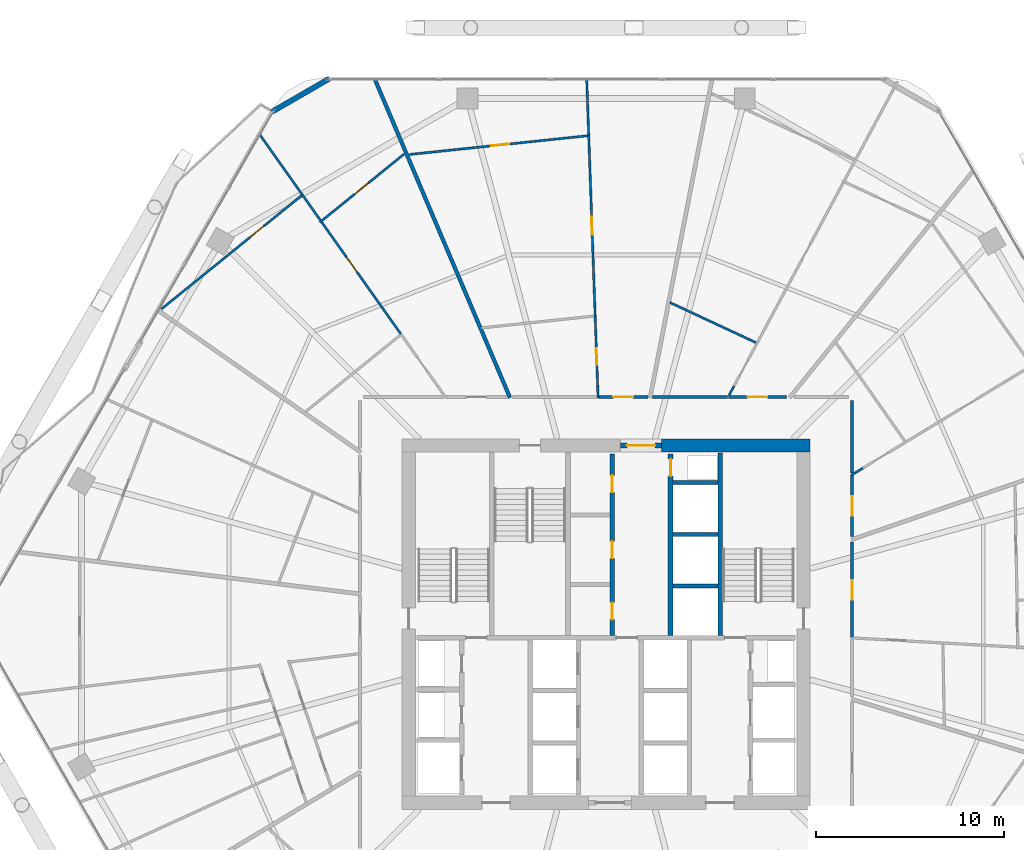
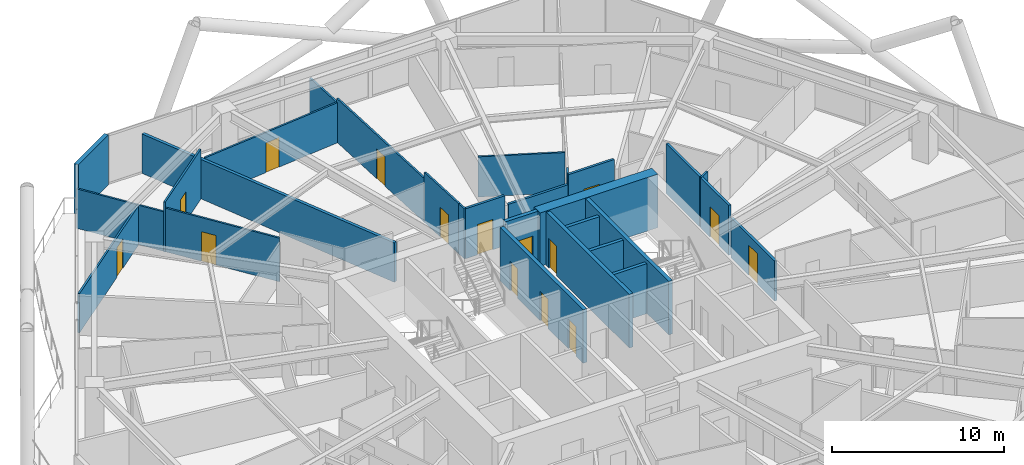
# One storey, part 33 of 36: 29 walls, 15 doors, 15 openings.
"""IFC4 building model written with IfcOpenShell, lengths in metres."""

from ifc_helpers import new_model, si_unit, direction, frame, frame_2d, origin, place, context, subcontext, project, spatial, rectangle, extrude, material, layer, layer_set, type_object, element, fill, save


model = new_model("IFC4")

# Units and contexts
model_context = context("Model", 3, precision=1e-05, world=origin(), true_north=direction((0.0, 1.0)))
body_context = subcontext(model_context, "Body", "Model", "MODEL_VIEW")
ifc_project = project(units=[si_unit("LENGTHUNIT", "METRE"), si_unit("AREAUNIT", "SQUARE_METRE"), si_unit("VOLUMEUNIT", "CUBIC_METRE"), si_unit("PLANEANGLEUNIT", "RADIAN"), si_unit("MASSUNIT", "GRAM", prefix="KILO")], contexts=[model_context])

# Site, building, storey
site_placement = place(None, origin())
site = spatial("IfcSite", under=ifc_project, at=site_placement, CompositionType="ELEMENT")
building_placement = place(site_placement, origin())
building = spatial("IfcBuilding", under=site, at=building_placement, Name="Zuhravey Tower", CompositionType="ELEMENT")
storey_placement = place(building_placement, frame((0.0, 0.0, 107.60009765625)))
storey = spatial("IfcBuildingStorey", under=building, at=storey_placement, Name="L26", CompositionType="ELEMENT", Elevation=107.60009765625)

# Wall
ifc_material_1 = material(Name="Concrete C60/75", Category="concrete")
ifc_layer_1 = layer(ifc_material_1, 0.699951171875)
ifc_layer_set_1 = layer_set([ifc_layer_1], Name="Concrete C60/75")
wall_type_1 = type_object("IfcWallType", Name="Core Shear Wall 700", PredefinedType="SHEAR", material=ifc_layer_set_1)
wall_1_placement = place(storey_placement, frame((46.85009765625, 41.5, 0.0), z_axis=(0.0, 0.0, 1.0), x_axis=(-1.0, 0.0, 0.0)))
element("IfcWall", 1, at=wall_1_placement, inside=storey, type_object=wall_type_1, Name="L26 North-East Core Shear Wall CW70", PredefinedType="SHEAR", context=body_context, shape_type="SweptSolid", body=[
    extrude(rectangle(XDim=7.900146484375, YDim=0.699951171875, at=frame_2d((3.9501953125, 0.0))), origin(), (0.0, 0.0, 1.0), 3.7998046875),
])

# Wall, opening, door
ifc_material_2 = material(Name="Gypsum fire-rated stud partition")
ifc_layer_2 = layer(ifc_material_2, 0.159912109375)
ifc_layer_set_2 = layer_set([ifc_layer_2], Name="Gypsum fire-rated stud partition")
wall_type_2 = type_object("IfcWallType", Name="Corridor Fire Partition 160", PredefinedType="PARTITIONING", material=ifc_layer_set_2)
wall_2_placement = place(storey_placement, frame((49.080078125, 36.653076171875, 0.0), z_axis=(0.0, 0.0, 1.0), x_axis=(0.0, 1.0, 0.0)))
wall_2 = element("IfcWall", 2, at=wall_2_placement, inside=storey, type_object=wall_type_2, Name="L26 IW16 Partition 022", PredefinedType="PARTITIONING", context=body_context, shape_type="SweptSolid", body=[
    extrude(rectangle(XDim=3.27001953125, YDim=0.159912109375, at=frame_2d((1.635009765625, 0.0))), origin(), (0.0, 0.0, 1.0), 3.5498046875),
])
opening_1_placement = place(wall_2_placement, frame((1.110107421875, 0.0, 0.0)))
opening_1 = element("IfcOpeningElement", 3, at=opening_1_placement, cuts=wall_2, Name="Opening APD1", PredefinedType="OPENING", context=body_context, shape_type="SweptSolid", body=[
    extrude(rectangle(XDim=1.050048828125, YDim=2.14990234375, at=frame_2d((0.52490234375, 1.074951171875))), frame((0.0, 0.092041015625, 0.0), z_axis=(0.0, -1.0, 0.0), x_axis=(1.0, 0.0, 0.0)), (0.0, 0.0, 1.0), 0.183837890625),
])
ifc_material_3 = material(Name="Solid-core oak fire-rated leaf")
door_type_1 = type_object("IfcDoorType", Name="Apartment Entrance Fire Door 1050x2150", OperationType="NOTDEFINED", PredefinedType="DOOR", material=ifc_material_3)
door_1_placement = place(opening_1_placement, frame((1.050048828125, 0.0, 0.0), z_axis=(0.0, 0.0, 1.0), x_axis=(-1.0, 0.0, 0.0)))
door_1 = element("IfcDoor", 4, at=door_1_placement, inside=storey, type_object=door_type_1, Name="L26 Door 022.1", OperationType="SINGLE_SWING_RIGHT", OverallHeight=2.14990234375, OverallWidth=1.050048828125, PredefinedType="DOOR", context=body_context, shape_type="SweptSolid", body=[
    extrude(rectangle(XDim=1.050048828125, YDim=2.14990234375, at=frame_2d((0.52490234375, 1.074951171875))), frame((0.0, 0.02490234375, 0.0), z_axis=(0.0, -1.0, 0.0), x_axis=(1.0, 0.0, 0.0)), (0.0, 0.0, 1.0), 0.050048828125),
])
fill(opening_1, door_1)

wall_3_placement = place(storey_placement, frame((45.583251953125, 44.080078125, 0.0), z_axis=(0.0, 0.0, 1.0), x_axis=(-1.0, 0.0, 0.0)))
wall_3 = element("IfcWall", 5, at=wall_3_placement, inside=storey, type_object=wall_type_2, Name="L26 IW16 Partition 028", PredefinedType="PARTITIONING", context=body_context, shape_type="SweptSolid", body=[
    extrude(rectangle(XDim=3.072509765625, YDim=0.159912109375, at=frame_2d((1.5361328125, 0.0))), origin(), (0.0, 0.0, 1.0), 3.5498046875),
])
opening_2_placement = place(wall_3_placement, frame((1.01123046875, 0.0, 0.0)))
opening_2 = element("IfcOpeningElement", 6, at=opening_2_placement, cuts=wall_3, Name="Opening APD1", PredefinedType="OPENING", context=body_context, shape_type="SweptSolid", body=[
    extrude(rectangle(XDim=1.050048828125, YDim=2.14990234375, at=frame_2d((0.52490234375, 1.074951171875))), frame((0.0, 0.092041015625, 0.0), z_axis=(0.0, -1.0, 0.0), x_axis=(1.0, 0.0, 0.0)), (0.0, 0.0, 1.0), 0.183837890625),
])
door_2_placement = place(opening_2_placement, frame((1.050048828125, 0.0, 0.0), z_axis=(0.0, 0.0, 1.0), x_axis=(-1.0, 0.0, 0.0)))
door_2 = element("IfcDoor", 7, at=door_2_placement, inside=storey, type_object=door_type_1, Name="L26 Door 028.1", OperationType="SINGLE_SWING_LEFT", OverallHeight=2.14990234375, OverallWidth=1.050048828125, PredefinedType="DOOR", context=body_context, shape_type="SweptSolid", body=[
    extrude(rectangle(XDim=1.050048828125, YDim=2.14990234375, at=frame_2d((0.52490234375, 1.074951171875))), frame((0.0, 0.02490234375, 0.0), z_axis=(0.0, -1.0, 0.0), x_axis=(1.0, 0.0, 0.0)), (0.0, 0.0, 1.0), 0.050048828125),
])
fill(opening_2, door_2)

wall_4_placement = place(storey_placement, frame((38.218505859375, 44.080078125, 0.0), z_axis=(0.0, 0.0, 1.0), x_axis=(-1.0, 0.0, 0.0)))
wall_4 = element("IfcWall", 8, at=wall_4_placement, inside=storey, type_object=wall_type_2, Name="L26 IW16 Partition 032", PredefinedType="PARTITIONING", context=body_context, shape_type="SweptSolid", body=[
    extrude(rectangle(XDim=2.62890625, YDim=0.159912109375, at=frame_2d((1.314453125, 0.0))), origin(), (0.0, 0.0, 1.0), 3.5498046875),
])
opening_3_placement = place(wall_4_placement, frame((0.78955078125, 0.0, 0.0)))
opening_3 = element("IfcOpeningElement", 9, at=opening_3_placement, cuts=wall_4, Name="Opening APD1", PredefinedType="OPENING", context=body_context, shape_type="SweptSolid", body=[
    extrude(rectangle(XDim=1.050048828125, YDim=2.14990234375, at=frame_2d((0.52490234375, 1.074951171875))), frame((0.0, 0.092041015625, 0.0), z_axis=(0.0, -1.0, 0.0), x_axis=(1.0, 0.0, 0.0)), (0.0, 0.0, 1.0), 0.183837890625),
])
door_3_placement = place(opening_3_placement, frame((1.050048828125, 0.0, 0.0), z_axis=(0.0, 0.0, 1.0), x_axis=(-1.0, 0.0, 0.0)))
door_3 = element("IfcDoor", 10, at=door_3_placement, inside=storey, type_object=door_type_1, Name="L26 Door 032.1", OperationType="SINGLE_SWING_LEFT", OverallHeight=2.14990234375, OverallWidth=1.050048828125, PredefinedType="DOOR", context=body_context, shape_type="SweptSolid", body=[
    extrude(rectangle(XDim=1.050048828125, YDim=2.14990234375, at=frame_2d((0.52490234375, 1.074951171875))), frame((0.0, 0.02490234375, 0.0), z_axis=(0.0, -1.0, 0.0), x_axis=(1.0, 0.0, 0.0)), (0.0, 0.0, 1.0), 0.050048828125),
])
fill(opening_3, door_3)

wall_5_placement = place(storey_placement, frame((49.080078125, 31.288818359375, 0.0), z_axis=(0.0, 0.0, 1.0), x_axis=(0.0, 1.0, 0.0)))
wall_5 = element("IfcWall", 11, at=wall_5_placement, inside=storey, type_object=wall_type_2, Name="L26 IW16 Partition 074", PredefinedType="PARTITIONING", context=body_context, shape_type="SweptSolid", body=[
    extrude(rectangle(XDim=5.066650390625, YDim=0.159912109375, at=frame_2d((2.533203125, 0.0))), origin(), (0.0, 0.0, 1.0), 2.849853515625),
])
opening_4_placement = place(wall_5_placement, frame((2.00830078125, 0.0, 0.0)))
opening_4 = element("IfcOpeningElement", 12, at=opening_4_placement, cuts=wall_5, Name="Opening APD1", PredefinedType="OPENING", context=body_context, shape_type="SweptSolid", body=[
    extrude(rectangle(XDim=1.050048828125, YDim=2.14990234375, at=frame_2d((0.52490234375, 1.074951171875))), frame((0.0, 0.092041015625, 0.0), z_axis=(0.0, -1.0, 0.0), x_axis=(1.0, 0.0, 0.0)), (0.0, 0.0, 1.0), 0.183837890625),
])
door_4_placement = place(opening_4_placement, frame((1.050048828125, 0.0, 0.0), z_axis=(0.0, 0.0, 1.0), x_axis=(-1.0, 0.0, 0.0)))
door_4 = element("IfcDoor", 13, at=door_4_placement, inside=storey, type_object=door_type_1, Name="L26 Door 074.1", OperationType="SINGLE_SWING_LEFT", OverallHeight=2.14990234375, OverallWidth=1.050048828125, PredefinedType="DOOR", context=body_context, shape_type="SweptSolid", body=[
    extrude(rectangle(XDim=1.050048828125, YDim=2.14990234375, at=frame_2d((0.52490234375, 1.074951171875))), frame((0.0, 0.02490234375, 0.0), z_axis=(0.0, -1.0, 0.0), x_axis=(1.0, 0.0, 0.0)), (0.0, 0.0, 1.0), 0.050048828125),
])
fill(opening_4, door_4)

# Walls
wall_6_placement = place(storey_placement, frame((49.080078125, 40.026123046875, 0.0), z_axis=(0.0, 0.0, 1.0), x_axis=(0.0, 1.0, 0.0)))
element("IfcWall", 14, at=wall_6_placement, inside=storey, type_object=wall_type_2, Name="L26 IW16 Partition 137", PredefinedType="PARTITIONING", context=body_context, shape_type="SweptSolid", body=[
    extrude(rectangle(XDim=3.873779296875, YDim=0.159912109375, at=frame_2d((1.93701171875, 0.0))), origin(), (0.0, 0.0, 1.0), 3.5498046875),
])
wall_7_placement = place(storey_placement, frame((42.46533203125, 44.080078125, 0.0), z_axis=(0.0, 0.0, 1.0), x_axis=(-1.0, 0.0, 0.0)))
element("IfcWall", 15, at=wall_7_placement, inside=storey, type_object=wall_type_2, Name="L26 IW16 Partition 139", PredefinedType="PARTITIONING", context=body_context, shape_type="SweptSolid", body=[
    extrude(rectangle(XDim=3.9873046875, YDim=0.159912109375, at=frame_2d((1.99365234375, 0.0))), origin(), (0.0, 0.0, 1.0), 2.849853515625),
])
ifc_material_4 = material(Name="Precast concrete C40/50", Category="concrete")
ifc_layer_3 = layer(ifc_material_4, 0.280029296875)
ifc_layer_set_3 = layer_set([ifc_layer_3], Name="Precast concrete C40/50")
wall_type_3 = type_object("IfcWallType", Name="Crown Architectural Wall 280", PredefinedType="SOLIDWALL", material=ifc_layer_set_3)
wall_8_placement = place(storey_placement, frame((18.23876953125, 59.24853515625, 0.0), z_axis=(0.0, 0.0, 1.0), x_axis=(0.866007452331, 0.500031091541, 0.0)))
element("IfcWall", 16, at=wall_8_placement, inside=storey, type_object=wall_type_3, Name="L26 Rounded Corner Closure Wall EW28-08", PredefinedType="SOLIDWALL", context=body_context, shape_type="SweptSolid", body=[
    extrude(rectangle(XDim=3.514892578125, YDim=0.280029296875, at=frame_2d((1.75732421875, 0.0))), origin(), (0.0, 0.0, 1.0), 3.5498046875),
])

# Wall, opening, door
ifc_material_5 = material(Name="Concrete C50/60", Category="concrete")
ifc_layer_4 = layer(ifc_material_5, 0.25)
ifc_layer_set_4 = layer_set([ifc_layer_4], Name="Concrete C50/60")
wall_type_4 = type_object("IfcWallType", Name="Firefighting Shaft & Stair Wall 250", PredefinedType="SOLIDWALL", material=ifc_layer_set_4)
wall_9_placement = place(storey_placement, frame((36.760009765625, 41.5, 0.0), z_axis=(0.0, 0.0, 1.0), x_axis=(1.0, 0.0, 0.0)))
wall_9 = element("IfcWall", 17, at=wall_9_placement, inside=storey, type_object=wall_type_4, Name="L26 FW25 Shaft Wall 002", PredefinedType="SOLIDWALL", context=body_context, shape_type="SweptSolid", body=[
    extrude(rectangle(XDim=2.179931640625, YDim=0.25, at=frame_2d((1.08984375, 0.0))), origin(), (0.0, 0.0, 1.0), 3.7998046875),
])
opening_5_placement = place(wall_9_placement, frame((0.340087890625, 0.0, 0.0)))
opening_5 = element("IfcOpeningElement", 18, at=opening_5_placement, cuts=wall_9, Name="Opening FFD1", PredefinedType="OPENING", context=body_context, shape_type="SweptSolid", body=[
    extrude(rectangle(XDim=1.5, YDim=2.14990234375, at=frame_2d((0.75, 1.074951171875))), frame((0.0, 0.136962890625, 0.0), z_axis=(0.0, -1.0, 0.0), x_axis=(1.0, 0.0, 0.0)), (0.0, 0.0, 1.0), 0.27392578125),
])
ifc_material_6 = material(Name="Galvanised fire-rated steel leaf", Category="steel")
door_type_2 = type_object("IfcDoorType", Name="Firefighting Lobby Double Door 1500x2150", OperationType="DOUBLE_DOOR_SINGLE_SWING", PredefinedType="DOOR", material=ifc_material_6)
door_5_placement = place(opening_5_placement, origin())
door_5 = element("IfcDoor", 19, at=door_5_placement, inside=storey, type_object=door_type_2, Name="L26 North Lift Lobby Exit Door", OperationType="DOUBLE_DOOR_SINGLE_SWING", OverallHeight=2.14990234375, OverallWidth=1.5, PredefinedType="DOOR", context=body_context, shape_type="SweptSolid", body=[
    extrude(rectangle(XDim=1.5, YDim=2.14990234375, at=frame_2d((0.75, 1.074951171875))), frame((0.0, 0.02490234375, 0.0), z_axis=(0.0, -1.0, 0.0), x_axis=(1.0, 0.0, 0.0)), (0.0, 0.0, 1.0), 0.050048828125),
])
fill(opening_5, door_5)

# Wall
wall_10_placement = place(storey_placement, frame((42.074951171875, 31.39990234375, 0.0), z_axis=(0.0, 0.0, 1.0), x_axis=(0.0, 1.0, 0.0)))
element("IfcWall", 20, at=wall_10_placement, inside=storey, type_object=wall_type_4, Name="L26 FW25 Shaft Wall 006", PredefinedType="SOLIDWALL", context=body_context, shape_type="SweptSolid", body=[
    extrude(rectangle(XDim=9.7001953125, YDim=0.25, at=frame_2d((4.85009765625, 0.0))), origin(), (0.0, 0.0, 1.0), 3.7998046875),
])

# Wall, openings, doors
wall_11_placement = place(storey_placement, frame((36.324951171875, 31.39990234375, 0.0), z_axis=(0.0, 0.0, 1.0), x_axis=(0.0, 1.0, 0.0)))
wall_11 = element("IfcWall", 21, at=wall_11_placement, inside=storey, type_object=wall_type_4, Name="L26 FW25 Shaft Wall 007", PredefinedType="SOLIDWALL", context=body_context, shape_type="SweptSolid", body=[
    extrude(rectangle(XDim=9.650146484375, YDim=0.25, at=frame_2d((4.8251953125, 0.0))), origin(), (0.0, 0.0, 1.0), 3.7998046875),
])
opening_6_placement = place(wall_11_placement, frame((0.840087890625, 0.0, 0.0)))
opening_6 = element("IfcOpeningElement", 22, at=opening_6_placement, cuts=wall_11, Name="Opening RSD1", PredefinedType="OPENING", context=body_context, shape_type="SweptSolid", body=[
    extrude(rectangle(XDim=0.89990234375, YDim=2.10009765625, at=frame_2d((0.449951171875, 1.050048828125))), frame((0.0, 0.136962890625, 0.0), z_axis=(0.0, -1.0, 0.0), x_axis=(1.0, 0.0, 0.0)), (0.0, 0.0, 1.0), 0.27392578125),
])
opening_7_placement = place(wall_11_placement, frame((4.10009765625, 0.0, 0.0)))
opening_7 = element("IfcOpeningElement", 23, at=opening_7_placement, cuts=wall_11, Name="Opening RSD1", PredefinedType="OPENING", context=body_context, shape_type="SweptSolid", body=[
    extrude(rectangle(XDim=0.89990234375, YDim=2.10009765625, at=frame_2d((0.449951171875, 1.050048828125))), frame((0.0, 0.136962890625, 0.0), z_axis=(0.0, -1.0, 0.0), x_axis=(1.0, 0.0, 0.0)), (0.0, 0.0, 1.0), 0.27392578125),
])
opening_8_placement = place(wall_11_placement, frame((7.610107421875, 0.0, 0.0)))
opening_8 = element("IfcOpeningElement", 24, at=opening_8_placement, cuts=wall_11, Name="Opening RSD1", PredefinedType="OPENING", context=body_context, shape_type="SweptSolid", body=[
    extrude(rectangle(XDim=0.89990234375, YDim=2.10009765625, at=frame_2d((0.449951171875, 1.050048828125))), frame((0.0, 0.136962890625, 0.0), z_axis=(0.0, -1.0, 0.0), x_axis=(1.0, 0.0, 0.0)), (0.0, 0.0, 1.0), 0.27392578125),
])
ifc_material_7 = material(Name="Galvanised fire-rated steel access leaf", Category="steel")
door_type_3 = type_object("IfcDoorType", Name="Riser & Shaft Access Fire Door 900x2100", OperationType="NOTDEFINED", PredefinedType="DOOR", material=ifc_material_7)
door_6_placement = place(opening_6_placement, origin())
door_6 = element("IfcDoor", 25, at=door_6_placement, inside=storey, type_object=door_type_3, Name="L26 Core Staff WC Door", OperationType="SINGLE_SWING_RIGHT", OverallHeight=2.10009765625, OverallWidth=0.89990234375, PredefinedType="DOOR", context=body_context, shape_type="SweptSolid", body=[
    extrude(rectangle(XDim=0.89990234375, YDim=2.10009765625, at=frame_2d((0.449951171875, 1.050048828125))), frame((0.0, 0.02490234375, 0.0), z_axis=(0.0, -1.0, 0.0), x_axis=(1.0, 0.0, 0.0)), (0.0, 0.0, 1.0), 0.050048828125),
])
fill(opening_6, door_6)
door_7_placement = place(opening_7_placement, origin())
door_7 = element("IfcDoor", 26, at=door_7_placement, inside=storey, type_object=door_type_3, Name="L26 IT and Comms Room Door", OperationType="SINGLE_SWING_LEFT", OverallHeight=2.10009765625, OverallWidth=0.89990234375, PredefinedType="DOOR", context=body_context, shape_type="SweptSolid", body=[
    extrude(rectangle(XDim=0.89990234375, YDim=2.10009765625, at=frame_2d((0.449951171875, 1.050048828125))), frame((0.0, 0.02490234375, 0.0), z_axis=(0.0, -1.0, 0.0), x_axis=(1.0, 0.0, 0.0)), (0.0, 0.0, 1.0), 0.050048828125),
])
fill(opening_7, door_7)
door_8_placement = place(opening_8_placement, origin())
door_8 = element("IfcDoor", 27, at=door_8_placement, inside=storey, type_object=door_type_3, Name="L26 Janitor Linen Store Door", OperationType="SINGLE_SWING_RIGHT", OverallHeight=2.10009765625, OverallWidth=0.89990234375, PredefinedType="DOOR", context=body_context, shape_type="SweptSolid", body=[
    extrude(rectangle(XDim=0.89990234375, YDim=2.10009765625, at=frame_2d((0.449951171875, 1.050048828125))), frame((0.0, 0.02490234375, 0.0), z_axis=(0.0, -1.0, 0.0), x_axis=(1.0, 0.0, 0.0)), (0.0, 0.0, 1.0), 0.050048828125),
])
fill(opening_8, door_8)

# Wall, opening, door
wall_12_placement = place(storey_placement, frame((39.425048828125, 31.39990234375, 0.0), z_axis=(0.0, 0.0, 1.0), x_axis=(0.0, 1.0, 0.0)))
wall_12 = element("IfcWall", 28, at=wall_12_placement, inside=storey, type_object=wall_type_4, Name="L26 FW25 Shaft Wall 008", PredefinedType="SOLIDWALL", context=body_context, shape_type="SweptSolid", body=[
    extrude(rectangle(XDim=9.650146484375, YDim=0.25, at=frame_2d((4.8251953125, 0.0))), origin(), (0.0, 0.0, 1.0), 3.7998046875),
])
opening_9_placement = place(wall_12_placement, frame((8.469970703125, 0.0, 0.0)))
opening_9 = element("IfcOpeningElement", 29, at=opening_9_placement, cuts=wall_12, Name="Opening RSD1", PredefinedType="OPENING", context=body_context, shape_type="SweptSolid", body=[
    extrude(rectangle(XDim=0.89990234375, YDim=2.10009765625, at=frame_2d((0.449951171875, 1.050048828125))), frame((0.0, 0.136962890625, 0.0), z_axis=(0.0, -1.0, 0.0), x_axis=(1.0, 0.0, 0.0)), (0.0, 0.0, 1.0), 0.27392578125),
])
door_9_placement = place(opening_9_placement, origin())
door_9 = element("IfcDoor", 30, at=door_9_placement, inside=storey, type_object=door_type_3, Name="L26 North Riser Door", OperationType="SINGLE_SWING_LEFT", OverallHeight=2.10009765625, OverallWidth=0.89990234375, PredefinedType="DOOR", context=body_context, shape_type="SweptSolid", body=[
    extrude(rectangle(XDim=0.89990234375, YDim=2.10009765625, at=frame_2d((0.449951171875, 1.050048828125))), frame((0.0, 0.02490234375, 0.0), z_axis=(0.0, -1.0, 0.0), x_axis=(1.0, 0.0, 0.0)), (0.0, 0.0, 1.0), 0.050048828125),
])
fill(opening_9, door_9)

# Walls
ifc_material_8 = material(Name="Gypsum double-stud party assembly")
ifc_layer_5 = layer(ifc_material_8, 0.199951171875)
ifc_layer_set_5 = layer_set([ifc_layer_5], Name="Gypsum double-stud party assembly")
wall_type_5 = type_object("IfcWallType", Name="Inter-Tenancy Party Wall 200", PredefinedType="PARTITIONING", material=ifc_layer_set_5)
wall_13_placement = place(storey_placement, frame((30.889404296875, 44.0400390625, 0.0), z_axis=(0.0, 0.0, 1.0), x_axis=(-0.39073950449, 0.920501298006, 0.0)))
element("IfcWall", 31, at=wall_13_placement, inside=storey, type_object=wall_type_5, Name="L26 IW20 Partition 097", PredefinedType="PARTITIONING", context=body_context, shape_type="SweptSolid", body=[
    extrude(rectangle(XDim=18.379638671875, YDim=0.199951171875, at=frame_2d((9.18994140625, 0.0))), origin(), (0.0, 0.0, 1.0), 2.7998046875),
])
ifc_material_9 = material(Name="Gypsum acoustic stud assembly")
ifc_layer_6 = layer(ifc_material_9, 0.219970703125)
ifc_layer_set_6 = layer_set([ifc_layer_6], Name="Gypsum acoustic stud assembly")
wall_type_6 = type_object("IfcWallType", Name="School Acoustic Compartment Wall 220", PredefinedType="PARTITIONING", material=ifc_layer_set_6)
for number, where, z_axis, x_axis, name in (
    (32, (39.55810546875, 34.02490234375, 0.0), (0.0, 0.0, 1.0), (1.0, 0.0, 0.0), "L26 IW22 Partition 077"),
    (33, (39.55810546875, 36.77490234375, 0.0), (0.0, 0.0, 1.0), (1.0, 0.0, 0.0), "L26 IW22 Partition 078"),
    (34, (39.55810546875, 39.52490234375, 0.0), (0.0, 0.0, 1.0), (1.0, 0.0, 0.0), "L26 IW22 Partition 079"),
):
    element("IfcWall", number, at=place(storey_placement, frame(where, z_axis=z_axis, x_axis=x_axis)), inside=storey, type_object=wall_type_6, Name=name, PredefinedType="PARTITIONING", context=body_context, shape_type="SweptSolid", body=[
        extrude(rectangle(XDim=2.3837890625, YDim=0.219970703125, at=frame_2d((1.19189453125, 0.0))), origin(), (0.0, 0.0, 1.0), 3.5498046875),
    ])

# Wall, opening, door
ifc_material_10 = material(Name="Gypsum metal-stud partition")
ifc_layer_7 = layer(ifc_material_10, 0.1201171875)
ifc_layer_set_7 = layer_set([ifc_layer_7], Name="Gypsum metal-stud partition")
wall_type_7 = type_object("IfcWallType", Name="Unit Internal Partition 120", PredefinedType="PARTITIONING", material=ifc_layer_set_7)
wall_14_placement = place(storey_placement, frame((35.54931640625, 44.64990234375, 0.0), z_axis=(0.0, 0.0, 1.0), x_axis=(-0.03561286173, 0.999365660847, 0.0)))
wall_14 = element("IfcWall", 35, at=wall_14_placement, inside=storey, type_object=wall_type_7, Name="L26 IW12 Partition 029", PredefinedType="PARTITIONING", context=body_context, shape_type="SweptSolid", body=[
    extrude(rectangle(XDim=3.763671875, YDim=0.1201171875, at=frame_2d((1.8818359375, 0.0))), origin(), (0.0, 0.0, 1.0), 3.5498046875),
])
opening_10_placement = place(wall_14_placement, frame((1.130615234375, 0.0, 0.0)))
opening_10 = element("IfcOpeningElement", 36, at=opening_10_placement, cuts=wall_14, Name="Opening WCD1", PredefinedType="OPENING", context=body_context, shape_type="SweptSolid", body=[
    extrude(rectangle(XDim=0.89990234375, YDim=2.10009765625, at=frame_2d((0.449951171875, 1.050048828125))), frame((0.0, 0.072021484375, 0.0), z_axis=(0.0, -1.0, 0.0), x_axis=(1.0, 0.0, 0.0)), (0.0, 0.0, 1.0), 0.14404296875),
])
ifc_material_11 = material(Name="Moisture-resistant timber leaf", Category="wood")
door_type_4 = type_object("IfcDoorType", Name="Bathroom & WC Internal Door 900x2100", OperationType="NOTDEFINED", PredefinedType="DOOR", material=ifc_material_11)
door_10_placement = place(opening_10_placement, origin())
door_10 = element("IfcDoor", 37, at=door_10_placement, inside=storey, type_object=door_type_4, Name="Apartment L26-03 Bathroom Door", OperationType="SINGLE_SWING_RIGHT", OverallHeight=2.10009765625, OverallWidth=0.89990234375, PredefinedType="DOOR", context=body_context, shape_type="SweptSolid", body=[
    extrude(rectangle(XDim=0.89990234375, YDim=2.10009765625, at=frame_2d((0.449951171875, 1.050048828125))), frame((0.0, 0.02490234375, 0.0), z_axis=(0.0, -1.0, 0.0), x_axis=(1.0, 0.0, 0.0)), (0.0, 0.0, 1.0), 0.050048828125),
])
fill(opening_10, door_10)

wall_15_placement = place(storey_placement, frame((35.415283203125, 48.4111328125, 0.0), z_axis=(0.0, 0.0, 1.0), x_axis=(-0.035569015933, 0.999367222349, 0.0)))
wall_15 = element("IfcWall", 38, at=wall_15_placement, inside=storey, type_object=wall_type_7, Name="L26 IW12 Partition 030", PredefinedType="PARTITIONING", context=body_context, shape_type="SweptSolid", body=[
    extrude(rectangle(XDim=9.595703125, YDim=0.1201171875, at=frame_2d((4.7978515625, 0.0))), origin(), (0.0, 0.0, 1.0), 3.099853515625),
])
opening_11_placement = place(wall_15_placement, frame((4.2978515625, 0.0, 0.0)))
opening_11 = element("IfcOpeningElement", 39, at=opening_11_placement, cuts=wall_15, Name="Opening IND1", PredefinedType="OPENING", context=body_context, shape_type="SweptSolid", body=[
    extrude(rectangle(XDim=0.949951171875, YDim=2.10009765625, at=frame_2d((0.47509765625, 1.050048828125))), frame((0.0, 0.072021484375, 0.0), z_axis=(0.0, -1.0, 0.0), x_axis=(1.0, 0.0, 0.0)), (0.0, 0.0, 1.0), 0.14404296875),
])
ifc_material_12 = material(Name="Painted engineered timber leaf", Category="wood")
door_type_5 = type_object("IfcDoorType", Name="Internal Room & Bedroom Door 950x2100", OperationType="NOTDEFINED", PredefinedType="DOOR", material=ifc_material_12)
door_11_placement = place(opening_11_placement, origin())
door_11 = element("IfcDoor", 40, at=door_11_placement, inside=storey, type_object=door_type_5, Name="Apartment L26-03 Home Office Door", OperationType="SINGLE_SWING_LEFT", OverallHeight=2.10009765625, OverallWidth=0.949951171875, PredefinedType="DOOR", context=body_context, shape_type="SweptSolid", body=[
    extrude(rectangle(XDim=0.949951171875, YDim=2.10009765625, at=frame_2d((0.47509765625, 1.050048828125))), frame((0.0, 0.02490234375, 0.0), z_axis=(0.0, -1.0, 0.0), x_axis=(1.0, 0.0, 0.0)), (0.0, 0.0, 1.0), 0.050048828125),
])
fill(opening_11, door_11)

wall_16_placement = place(storey_placement, frame((35.007080078125, 57.96875, 0.0), z_axis=(0.0, 0.0, 1.0), x_axis=(-0.994523439889, -0.104513767091, 0.0)))
wall_16 = element("IfcWall", 41, at=wall_16_placement, inside=storey, type_object=wall_type_7, Name="L26 IW12 Partition 031", PredefinedType="PARTITIONING", context=body_context, shape_type="SweptSolid", body=[
    extrude(rectangle(XDim=9.511962890625, YDim=0.1201171875, at=frame_2d((4.755859375, 0.0))), origin(), (0.0, 0.0, 1.0), 2.849853515625),
])
opening_12_placement = place(wall_16_placement, frame((4.197021484375, 0.0, 0.0)))
opening_12 = element("IfcOpeningElement", 42, at=opening_12_placement, cuts=wall_16, Name="Opening IND1", PredefinedType="OPENING", context=body_context, shape_type="SweptSolid", body=[
    extrude(rectangle(XDim=0.949951171875, YDim=2.10009765625, at=frame_2d((0.47509765625, 1.050048828125))), frame((0.0, 0.072021484375, 0.0), z_axis=(0.0, -1.0, 0.0), x_axis=(1.0, 0.0, 0.0)), (0.0, 0.0, 1.0), 0.14404296875),
])
door_12_placement = place(opening_12_placement, frame((0.949951171875, 0.0, 0.0), z_axis=(0.0, 0.0, 1.0), x_axis=(-1.0, 0.0, 0.0)))
door_12 = element("IfcDoor", 43, at=door_12_placement, inside=storey, type_object=door_type_5, Name="Apartment L26-03 Bedroom 1 Door", OperationType="SINGLE_SWING_RIGHT", OverallHeight=2.10009765625, OverallWidth=0.949951171875, PredefinedType="DOOR", context=body_context, shape_type="SweptSolid", body=[
    extrude(rectangle(XDim=0.949951171875, YDim=2.10009765625, at=frame_2d((0.47509765625, 1.050048828125))), frame((0.0, 0.02490234375, 0.0), z_axis=(0.0, -1.0, 0.0), x_axis=(1.0, 0.0, 0.0)), (0.0, 0.0, 1.0), 0.050048828125),
])
fill(opening_12, door_12)

wall_17_placement = place(storey_placement, frame((25.244873046875, 56.986083984375, 0.0), z_axis=(0.0, 0.0, 1.0), x_axis=(-0.777148191712, -0.629317636904, 0.0)))
wall_17 = element("IfcWall", 44, at=wall_17_placement, inside=storey, type_object=wall_type_7, Name="L26 IW12 Partition 033", PredefinedType="PARTITIONING", context=body_context, shape_type="SweptSolid", body=[
    extrude(rectangle(XDim=5.763671875, YDim=0.1201171875, at=frame_2d((2.8818359375, 0.0))), origin(), (0.0, 0.0, 1.0), 3.5498046875),
])
opening_13_placement = place(wall_17_placement, frame((2.40673828125, 0.0, 0.0)))
opening_13 = element("IfcOpeningElement", 45, at=opening_13_placement, cuts=wall_17, Name="Opening IND1", PredefinedType="OPENING", context=body_context, shape_type="SweptSolid", body=[
    extrude(rectangle(XDim=0.949951171875, YDim=2.10009765625, at=frame_2d((0.47509765625, 1.050048828125))), frame((0.0, 0.072021484375, 0.0), z_axis=(0.0, -1.0, 0.0), x_axis=(1.0, 0.0, 0.0)), (0.0, 0.0, 1.0), 0.14404296875),
])
door_13_placement = place(opening_13_placement, frame((0.949951171875, 0.0, 0.0), z_axis=(0.0, 0.0, 1.0), x_axis=(-1.0, 0.0, 0.0)))
door_13 = element("IfcDoor", 46, at=door_13_placement, inside=storey, type_object=door_type_5, Name="Apartment L26-04 Family Study Door", OperationType="SINGLE_SWING_RIGHT", OverallHeight=2.10009765625, OverallWidth=0.949951171875, PredefinedType="DOOR", context=body_context, shape_type="SweptSolid", body=[
    extrude(rectangle(XDim=0.949951171875, YDim=2.10009765625, at=frame_2d((0.47509765625, 1.050048828125))), frame((0.0, 0.02490234375, 0.0), z_axis=(0.0, -1.0, 0.0), x_axis=(1.0, 0.0, 0.0)), (0.0, 0.0, 1.0), 0.050048828125),
])
fill(opening_13, door_13)

wall_18_placement = place(storey_placement, frame((25.084716796875, 47.427490234375, 0.0), z_axis=(0.0, 0.0, 1.0), x_axis=(-0.577572190058, 0.81633961393, 0.0)))
wall_18 = element("IfcWall", 47, at=wall_18_placement, inside=storey, type_object=wall_type_7, Name="L26 IW12 Partition 035", PredefinedType="PARTITIONING", context=body_context, shape_type="SweptSolid", body=[
    extrude(rectangle(XDim=7.275146484375, YDim=0.1201171875, at=frame_2d((3.6376953125, 0.0))), origin(), (0.0, 0.0, 1.0), 3.099853515625),
])
opening_14_placement = place(wall_18_placement, frame((4.04443359375, 0.0, 0.0)))
opening_14 = element("IfcOpeningElement", 48, at=opening_14_placement, cuts=wall_18, Name="Opening IND1", PredefinedType="OPENING", context=body_context, shape_type="SweptSolid", body=[
    extrude(rectangle(XDim=0.949951171875, YDim=2.10009765625, at=frame_2d((0.47509765625, 1.050048828125))), frame((0.0, 0.072021484375, 0.0), z_axis=(0.0, -1.0, 0.0), x_axis=(1.0, 0.0, 0.0)), (0.0, 0.0, 1.0), 0.14404296875),
])
door_14_placement = place(opening_14_placement, origin())
door_14 = element("IfcDoor", 49, at=door_14_placement, inside=storey, type_object=door_type_5, Name="Apartment L26-04 Home Office Door", OperationType="SINGLE_SWING_RIGHT", OverallHeight=2.10009765625, OverallWidth=0.949951171875, PredefinedType="DOOR", context=body_context, shape_type="SweptSolid", body=[
    extrude(rectangle(XDim=0.949951171875, YDim=2.10009765625, at=frame_2d((0.47509765625, 1.050048828125))), frame((0.0, 0.02490234375, 0.0), z_axis=(0.0, -1.0, 0.0), x_axis=(1.0, 0.0, 0.0)), (0.0, 0.0, 1.0), 0.050048828125),
])
fill(opening_14, door_14)

# Wall
wall_19_placement = place(storey_placement, frame((20.80419921875, 53.4775390625, 0.0), z_axis=(0.0, 0.0, 1.0), x_axis=(-0.577488374184, 0.816398908428, 0.0)))
element("IfcWall", 50, at=wall_19_placement, inside=storey, type_object=wall_type_7, Name="L26 IW12 Partition 036", PredefinedType="PARTITIONING", context=body_context, shape_type="SweptSolid", body=[
    extrude(rectangle(XDim=1.677978515625, YDim=0.1201171875, at=frame_2d((0.8388671875, 0.0))), origin(), (0.0, 0.0, 1.0), 2.7998046875),
])

# Wall, opening, door
wall_20_placement = place(storey_placement, frame((19.796630859375, 54.783935546875, 0.0), z_axis=(0.0, 0.0, 1.0), x_axis=(-0.777151172812, -0.629313955508, 0.0)))
wall_20 = element("IfcWall", 51, at=wall_20_placement, inside=storey, type_object=wall_type_7, Name="L26 IW12 Partition 037", PredefinedType="PARTITIONING", context=body_context, shape_type="SweptSolid", body=[
    extrude(rectangle(XDim=9.588134765625, YDim=0.1201171875, at=frame_2d((4.7939453125, 0.0))), origin(), (0.0, 0.0, 1.0), 2.7998046875),
])
opening_15_placement = place(wall_20_placement, frame((2.551513671875, 0.0, 0.0)))
opening_15 = element("IfcOpeningElement", 52, at=opening_15_placement, cuts=wall_20, Name="Opening IND1", PredefinedType="OPENING", context=body_context, shape_type="SweptSolid", body=[
    extrude(rectangle(XDim=0.949951171875, YDim=2.10009765625, at=frame_2d((0.47509765625, 1.050048828125))), frame((0.0, 0.072021484375, 0.0), z_axis=(0.0, -1.0, 0.0), x_axis=(1.0, 0.0, 0.0)), (0.0, 0.0, 1.0), 0.14404296875),
])
door_15_placement = place(opening_15_placement, frame((0.949951171875, 0.0, 0.0), z_axis=(0.0, 0.0, 1.0), x_axis=(-1.0, 0.0, 0.0)))
door_15 = element("IfcDoor", 53, at=door_15_placement, inside=storey, type_object=door_type_5, Name="Apartment L26-04 Bedroom 1 Door", OperationType="SINGLE_SWING_LEFT", OverallHeight=2.10009765625, OverallWidth=0.949951171875, PredefinedType="DOOR", context=body_context, shape_type="SweptSolid", body=[
    extrude(rectangle(XDim=0.949951171875, YDim=2.10009765625, at=frame_2d((0.47509765625, 1.050048828125))), frame((0.0, 0.02490234375, 0.0), z_axis=(0.0, -1.0, 0.0), x_axis=(1.0, 0.0, 0.0)), (0.0, 0.0, 1.0), 0.050048828125),
])
fill(opening_15, door_15)

# Walls
wall_21_placement = place(storey_placement, frame((49.04150390625, 39.923095703125, 0.0), z_axis=(0.0, 0.0, 1.0), x_axis=(0.854635339674, 0.519228693526, 0.0)))
element("IfcWall", 54, at=wall_21_placement, inside=storey, type_object=wall_type_7, Name="L26 IW12 Partition 085", PredefinedType="PARTITIONING", context=body_context, shape_type="SweptSolid", body=[
    extrude(rectangle(XDim=0.7119140625, YDim=0.1201171875, at=frame_2d((0.35595703125, 0.0))), origin(), (0.0, 0.0, 1.0), 3.5498046875),
])
wall_22_placement = place(storey_placement, frame((42.535400390625, 44.16796875, 0.0), z_axis=(0.0, 0.0, 1.0), x_axis=(0.473088148205, 0.881015098638, 0.0)))
element("IfcWall", 55, at=wall_22_placement, inside=storey, type_object=wall_type_7, Name="L26 IW12 Partition 089", PredefinedType="PARTITIONING", context=body_context, shape_type="SweptSolid", body=[
    extrude(rectangle(XDim=0.547119140625, YDim=0.1201171875, at=frame_2d((0.2734375, 0.0))), origin(), (0.0, 0.0, 1.0), 3.5498046875),
])
wall_23_placement = place(storey_placement, frame((43.9638671875, 46.971435546875, 0.0), z_axis=(0.0, 0.0, 1.0), x_axis=(-0.906312552641, 0.422608041719, 0.0)))
element("IfcWall", 56, at=wall_23_placement, inside=storey, type_object=wall_type_7, Name="L26 IW12 Partition 091", PredefinedType="PARTITIONING", context=body_context, shape_type="SweptSolid", body=[
    extrude(rectangle(XDim=5.058837890625, YDim=0.1201171875, at=frame_2d((2.529296875, 0.0))), origin(), (0.0, 0.0, 1.0), 2.849853515625),
])
wall_24_placement = place(storey_placement, frame((35.5712890625, 44.034912109375, 0.0), z_axis=(0.0, 0.0, 1.0), x_axis=(-0.03570568138, 0.999362348859, 0.0)))
element("IfcWall", 57, at=wall_24_placement, inside=storey, type_object=wall_type_7, Name="L26 IW12 Partition 094", PredefinedType="PARTITIONING", context=body_context, shape_type="SweptSolid", body=[
    extrude(rectangle(XDim=0.615478515625, YDim=0.1201171875, at=frame_2d((0.3076171875, 0.0))), origin(), (0.0, 0.0, 1.0), 3.5498046875),
])
wall_25_placement = place(storey_placement, frame((35.07373046875, 58.000732421875, 0.0), z_axis=(0.0, 0.0, 1.0), x_axis=(-0.035576968913, 0.999366939259, 0.0)))
element("IfcWall", 58, at=wall_25_placement, inside=storey, type_object=wall_type_7, Name="L26 IW12 Partition 095", PredefinedType="PARTITIONING", context=body_context, shape_type="SweptSolid", body=[
    extrude(rectangle(XDim=2.964599609375, YDim=0.1201171875, at=frame_2d((1.482421875, 0.0))), origin(), (0.0, 0.0, 1.0), 2.7998046875),
])
wall_26_placement = place(storey_placement, frame((19.835205078125, 54.847412109375, 0.0), z_axis=(0.0, 0.0, 1.0), x_axis=(-0.577627737913, 0.816300310176, 0.0)))
element("IfcWall", 59, at=wall_26_placement, inside=storey, type_object=wall_type_7, Name="L26 IW12 Partition 099", PredefinedType="PARTITIONING", context=body_context, shape_type="SweptSolid", body=[
    extrude(rectangle(XDim=3.895263671875, YDim=0.1201171875, at=frame_2d((1.94775390625, 0.0))), origin(), (0.0, 0.0, 1.0), 2.7998046875),
])

save(model, "model.ifc")
